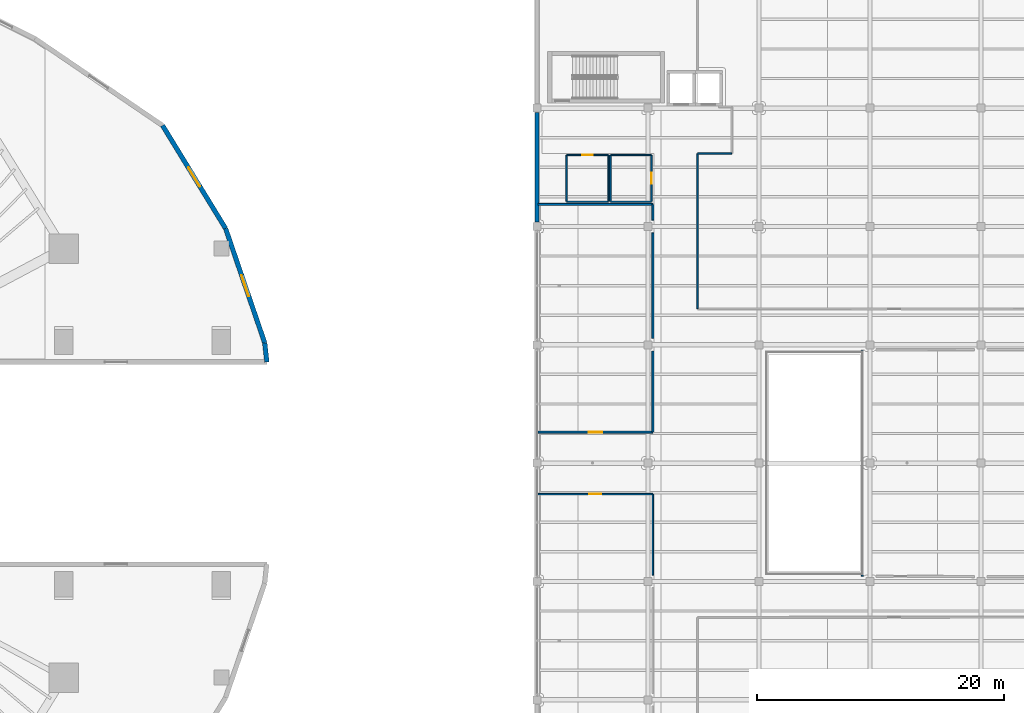
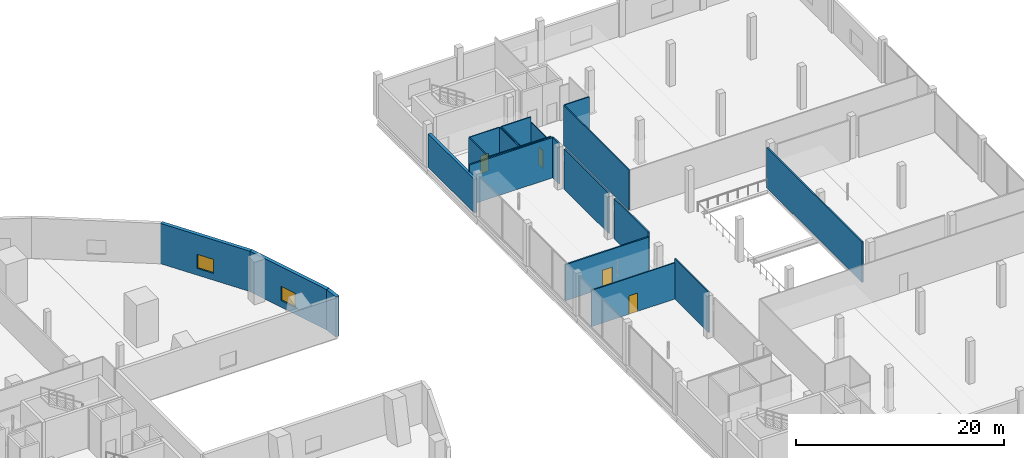
# One storey, part 31 of 46: 22 walls, 4 doors, 2 windows, 6 openings.
"""IFC4 building model written with IfcOpenShell, lengths in metres."""

from ifc_helpers import new_model, si_unit, direction, frame, frame_2d, origin, place, context, subcontext, project, spatial, rectangle, extrude, material, layer, layer_set, type_object, element, fill, save


model = new_model("IFC4")

# Units and contexts
model_context = context("Model", 3, precision=1e-05, world=origin(), true_north=direction((0.0, 1.0)))
body_context = subcontext(model_context, "Body", "Model", "MODEL_VIEW")
ifc_project = project(units=[si_unit("LENGTHUNIT", "METRE"), si_unit("AREAUNIT", "SQUARE_METRE"), si_unit("VOLUMEUNIT", "CUBIC_METRE"), si_unit("PLANEANGLEUNIT", "RADIAN"), si_unit("MASSUNIT", "GRAM", prefix="KILO")], contexts=[model_context])

# Site, building, storey
site_placement = place(None, origin())
site = spatial("IfcSite", under=ifc_project, at=site_placement, CompositionType="ELEMENT")
building_placement = place(site_placement, origin())
building = spatial("IfcBuilding", under=site, at=building_placement, Name="Qorvath Tower", CompositionType="ELEMENT")
storey_placement = place(building_placement, frame((0.0, 0.0, 17.0)))
storey = spatial("IfcBuildingStorey", under=building, at=storey_placement, Name="L03", CompositionType="ELEMENT", Elevation=17.0)

# Wall
ifc_material_1 = material(Name="Double acoustic gypsum board on steel studs", Category="steel")
ifc_layer_1 = layer(ifc_material_1, 0.159912109375)
ifc_layer_set_1 = layer_set([ifc_layer_1], Name="IW-ACOUSTIC-160")
wall_type_1 = type_object("IfcWallType", Name="IW-ACOUSTIC-160", PredefinedType="PARTITIONING", material=ifc_layer_set_1)
wall_1_placement = place(storey_placement, frame((58.800048828125, 9.1669921875, 0.0), z_axis=(0.0, 0.0, 1.0), x_axis=(0.0, -1.0, 0.0)))
element("IfcWall", 1, at=wall_1_placement, inside=storey, type_object=wall_type_1, Name="Interior Partition IW-LB-L03-033", PredefinedType="PARTITIONING", context=body_context, shape_type="SweptSolid", body=[
    extrude(rectangle(XDim=18.333984375, YDim=0.159912109375, at=frame_2d((9.1669921875, 0.0))), origin(), (0.0, 0.0, 1.0), 4.739990234375),
])

# Wall, opening, door
wall_2_placement = place(storey_placement, frame((32.47998046875, 2.508056640625, 0.0), z_axis=(0.0, 0.0, 1.0), x_axis=(1.0, 0.0, 0.0)))
wall_2 = element("IfcWall", 2, at=wall_2_placement, inside=storey, type_object=wall_type_1, Name="Interior Partition IW-LB-L03-034", PredefinedType="PARTITIONING", context=body_context, shape_type="SweptSolid", body=[
    extrude(rectangle(XDim=9.294921875, YDim=0.159912109375, at=frame_2d((4.6474609375, 0.0))), origin(), (0.0, 0.0, 1.0), 4.2529296875),
])
opening_1_placement = place(wall_2_placement, frame((4.097412109375, 0.0, 0.0)))
opening_1 = element("IfcOpeningElement", 3, at=opening_1_placement, cuts=wall_2, Name="Opening D-LB-L03-08", PredefinedType="OPENING", context=body_context, shape_type="SweptSolid", body=[
    extrude(rectangle(XDim=1.10009765625, YDim=2.14990234375, at=frame_2d((0.550048828125, 1.074951171875))), frame((0.0, 0.08984375, 0.0), z_axis=(0.0, -1.0, 0.0), x_axis=(1.0, 0.0, 0.0)), (0.0, 0.0, 1.0), 0.179931640625),
])
ifc_material_2 = material(Name="Anodised aluminium acoustic framed glass", Category="aluminium")
door_type_1 = type_object("IfcDoorType", Name="D-03", OperationType="NOTDEFINED", PredefinedType="DOOR", material=ifc_material_2)
door_1_placement = place(opening_1_placement, origin())
door_1 = element("IfcDoor", 4, at=door_1_placement, inside=storey, type_object=door_type_1, Name="L-L03-SEM-W Research Seminar Suite L03 Door D-LB-L03-08", OperationType="SINGLE_SWING_LEFT", OverallHeight=2.14990234375, OverallWidth=1.10009765625, PredefinedType="DOOR", context=body_context, shape_type="SweptSolid", body=[
    extrude(rectangle(XDim=1.10009765625, YDim=2.14990234375, at=frame_2d((0.550048828125, 1.074951171875))), frame((0.0, 0.02490234375, 0.0), z_axis=(0.0, -1.0, 0.0), x_axis=(1.0, 0.0, 0.0)), (0.0, 0.0, 1.0), 0.050048828125),
])
fill(opening_1, door_1)

# Walls
wall_3_placement = place(storey_placement, frame((41.800048828125, 2.533203125, 0.0), z_axis=(0.0, 0.0, 1.0), x_axis=(0.0, 1.0, 0.0)))
element("IfcWall", 5, at=wall_3_placement, inside=storey, type_object=wall_type_1, Name="Interior Partition IW-LB-L03-035", PredefinedType="PARTITIONING", context=body_context, shape_type="SweptSolid", body=[
    extrude(rectangle(XDim=6.5478515625, YDim=0.159912109375, at=frame_2d((3.27392578125, 0.0))), origin(), (0.0, 0.0, 1.0), 4.739990234375),
])
wall_4_placement = place(storey_placement, frame((41.800048828125, 10.118896484375, 0.0), z_axis=(0.0, 0.0, 1.0), x_axis=(0.0, 1.0, 0.0)))
element("IfcWall", 6, at=wall_4_placement, inside=storey, type_object=wall_type_1, Name="Interior Partition IW-LB-L03-036", PredefinedType="PARTITIONING", context=body_context, shape_type="SweptSolid", body=[
    extrude(rectangle(XDim=8.562255859375, YDim=0.159912109375, at=frame_2d((4.28125, 0.0))), origin(), (0.0, 0.0, 1.0), 4.739990234375),
])
wall_5_placement = place(storey_placement, frame((41.800048828125, 19.71875, 0.0), z_axis=(0.0, 0.0, 1.0), x_axis=(0.0, 1.0, 0.0)))
element("IfcWall", 7, at=wall_5_placement, inside=storey, type_object=wall_type_1, Name="Interior Partition IW-LB-L03-037", PredefinedType="PARTITIONING", context=body_context, shape_type="SweptSolid", body=[
    extrude(rectangle(XDim=1.25634765625, YDim=0.159912109375, at=frame_2d((0.628173828125, 0.0))), origin(), (0.0, 0.0, 1.0), 4.739990234375),
])
wall_6_placement = place(storey_placement, frame((41.77490234375, 21.0, 0.0), z_axis=(0.0, 0.0, 1.0), x_axis=(-1.0, 0.0, 0.0)))
element("IfcWall", 8, at=wall_6_placement, inside=storey, type_object=wall_type_1, Name="Interior Partition IW-LB-L03-038", PredefinedType="PARTITIONING", context=body_context, shape_type="SweptSolid", body=[
    extrude(rectangle(XDim=9.294921875, YDim=0.159912109375, at=frame_2d((4.6474609375, 0.0))), origin(), (0.0, 0.0, 1.0), 4.739990234375),
])
ifc_material_3 = material(Name="Gypsum board on metal studs with mineral wool", Category="gypsum")
ifc_layer_2 = layer(ifc_material_3, 0.125)
ifc_layer_set_2 = layer_set([ifc_layer_2], Name="IW-PART-125")
wall_type_2 = type_object("IfcWallType", Name="IW-PART-125", PredefinedType="PARTITIONING", material=ifc_layer_set_2)
wall_7_placement = place(storey_placement, frame((45.43310546875, 25.112060546875, 0.0), z_axis=(0.0, 0.0, 1.0), x_axis=(1.0, 0.0, 0.0)))
element("IfcWall", 9, at=wall_7_placement, inside=storey, type_object=wall_type_2, Name="Interior Partition IW-LB-L03-019", PredefinedType="PARTITIONING", context=body_context, shape_type="SweptSolid", body=[
    extrude(rectangle(XDim=2.75, YDim=0.125, at=frame_2d((1.375, 0.0))), origin(), (0.0, 0.0, 1.0), 4.739990234375),
])
wall_8_placement = place(storey_placement, frame((45.407958984375, 25.087158203125, 0.0), z_axis=(0.0, 0.0, 1.0), x_axis=(0.0, -1.0, 0.0)))
element("IfcWall", 10, at=wall_8_placement, inside=storey, type_object=wall_type_2, Name="Interior Partition IW-LB-L03-020", PredefinedType="PARTITIONING", context=body_context, shape_type="SweptSolid", body=[
    extrude(rectangle(XDim=12.553955078125, YDim=0.125, at=frame_2d((6.27685546875, 0.0))), origin(), (0.0, 0.0, 1.0), 4.739990234375),
])
wall_9_placement = place(storey_placement, frame((41.800048828125, -9.0810546875, 0.0), z_axis=(0.0, 0.0, 1.0), x_axis=(0.0, 1.0, 0.0)))
element("IfcWall", 11, at=wall_9_placement, inside=storey, type_object=wall_type_2, Name="Interior Partition IW-LB-L03-042", PredefinedType="PARTITIONING", context=body_context, shape_type="SweptSolid", body=[
    extrude(rectangle(XDim=6.5478515625, YDim=0.125, at=frame_2d((3.27392578125, 0.0))), origin(), (0.0, 0.0, 1.0), 4.739990234375),
])

# Wall, opening, door
wall_10_placement = place(storey_placement, frame((41.77490234375, -2.508056640625, 0.0), z_axis=(0.0, 0.0, 1.0), x_axis=(-1.0, 0.0, 0.0)))
wall_10 = element("IfcWall", 12, at=wall_10_placement, inside=storey, type_object=wall_type_2, Name="Interior Partition IW-LB-L03-043", PredefinedType="PARTITIONING", context=body_context, shape_type="SweptSolid", body=[
    extrude(rectangle(XDim=9.294921875, YDim=0.125, at=frame_2d((4.6474609375, 0.0))), origin(), (0.0, 0.0, 1.0), 4.2529296875),
])
opening_2_placement = place(wall_10_placement, frame((4.17236328125, 0.0, 0.0)))
opening_2 = element("IfcOpeningElement", 13, at=opening_2_placement, cuts=wall_10, Name="Opening D-LB-L03-09", PredefinedType="OPENING", context=body_context, shape_type="SweptSolid", body=[
    extrude(rectangle(XDim=0.949951171875, YDim=2.14990234375, at=frame_2d((0.47509765625, 1.074951171875))), frame((0.0, 0.072509765625, 0.0), z_axis=(0.0, -1.0, 0.0), x_axis=(1.0, 0.0, 0.0)), (0.0, 0.0, 1.0), 0.14501953125),
])
ifc_material_4 = material(Name="Solid-core American white oak veneer", Category="wood")
door_type_2 = type_object("IfcDoorType", Name="D-01", OperationType="NOTDEFINED", PredefinedType="DOOR", material=ifc_material_4)
door_2_placement = place(opening_2_placement, origin())
door_2 = element("IfcDoor", 14, at=door_2_placement, inside=storey, type_object=door_type_2, Name="L-L03-STAFF Cataloguing and Librarian Studio L03 Door D-LB-L03-09", OperationType="SINGLE_SWING_RIGHT", OverallHeight=2.14990234375, OverallWidth=0.949951171875, PredefinedType="DOOR", context=body_context, shape_type="SweptSolid", body=[
    extrude(rectangle(XDim=0.949951171875, YDim=2.14990234375, at=frame_2d((0.47509765625, 1.074951171875))), frame((0.0, 0.02490234375, 0.0), z_axis=(0.0, -1.0, 0.0), x_axis=(1.0, 0.0, 0.0)), (0.0, 0.0, 1.0), 0.050048828125),
])
fill(opening_2, door_2)

# Walls
ifc_material_5 = material(Name="Moisture-resistant cement board on metal studs", Category="gypsum")
ifc_layer_3 = layer(ifc_material_5, 0.110107421875)
ifc_layer_set_3 = layer_set([ifc_layer_3], Name="IW-WC-110")
wall_type_3 = type_object("IfcWallType", Name="IW-WC-110", PredefinedType="PARTITIONING", material=ifc_layer_set_3)
wall_11_placement = place(storey_placement, frame((34.824951171875, 21.199951171875, 0.0), z_axis=(0.0, 0.0, 1.0), x_axis=(1.0, 0.0, 0.0)))
element("IfcWall", 15, at=wall_11_placement, inside=storey, type_object=wall_type_3, Name="Interior Partition IW-LB-L03-001", PredefinedType="PARTITIONING", context=body_context, shape_type="SweptSolid", body=[
    extrude(rectangle(XDim=3.35009765625, YDim=0.110107421875, at=frame_2d((1.675048828125, 0.0))), origin(), (0.0, 0.0, 1.0), 4.739990234375),
])
wall_12_placement = place(storey_placement, frame((38.199951171875, 21.22509765625, 0.0), z_axis=(0.0, 0.0, 1.0), x_axis=(0.0, 1.0, 0.0)))
element("IfcWall", 16, at=wall_12_placement, inside=storey, type_object=wall_type_3, Name="Interior Partition IW-LB-L03-002", PredefinedType="PARTITIONING", context=body_context, shape_type="SweptSolid", body=[
    extrude(rectangle(XDim=3.75, YDim=0.110107421875, at=frame_2d((1.875, 0.0))), origin(), (0.0, 0.0, 1.0), 4.739990234375),
])

# Wall, opening, door
wall_13_placement = place(storey_placement, frame((38.175048828125, 25.0, 0.0), z_axis=(0.0, 0.0, 1.0), x_axis=(-1.0, 0.0, 0.0)))
wall_13 = element("IfcWall", 17, at=wall_13_placement, inside=storey, type_object=wall_type_3, Name="Interior Partition IW-LB-L03-003", PredefinedType="PARTITIONING", context=body_context, shape_type="SweptSolid", body=[
    extrude(rectangle(XDim=3.35009765625, YDim=0.110107421875, at=frame_2d((1.675048828125, 0.0))), origin(), (0.0, 0.0, 1.0), 4.739990234375),
])
opening_3_placement = place(wall_13_placement, frame((1.235107421875, 0.0, 0.0)))
opening_3 = element("IfcOpeningElement", 18, at=opening_3_placement, cuts=wall_13, Name="Opening D-LB-L03-01", PredefinedType="OPENING", context=body_context, shape_type="SweptSolid", body=[
    extrude(rectangle(XDim=0.8798828125, YDim=2.10009765625, at=frame_2d((0.43994140625, 1.050048828125))), frame((0.0, 0.06494140625, 0.0), z_axis=(0.0, -1.0, 0.0), x_axis=(1.0, 0.0, 0.0)), (0.0, 0.0, 1.0), 0.130126953125),
])
ifc_material_6 = material(Name="Solid-core oak with acoustic drop seal", Category="wood")
door_type_3 = type_object("IfcDoorType", Name="D-02", OperationType="NOTDEFINED", PredefinedType="DOOR", material=ifc_material_6)
door_3_placement = place(opening_3_placement, origin())
door_3 = element("IfcDoor", 19, at=door_3_placement, inside=storey, type_object=door_type_3, Name="WC East Wing North L03 Door D-LB-L03-01", OperationType="SINGLE_SWING_RIGHT", OverallHeight=2.10009765625, OverallWidth=0.8798828125, PredefinedType="DOOR", context=body_context, shape_type="SweptSolid", body=[
    extrude(rectangle(XDim=0.8798828125, YDim=2.10009765625, at=frame_2d((0.43994140625, 1.050048828125))), frame((0.0, 0.02490234375, 0.0), z_axis=(0.0, -1.0, 0.0), x_axis=(1.0, 0.0, 0.0)), (0.0, 0.0, 1.0), 0.050048828125),
])
fill(opening_3, door_3)

# Walls
wall_14_placement = place(storey_placement, frame((34.800048828125, 24.97509765625, 0.0), z_axis=(0.0, 0.0, 1.0), x_axis=(0.0, -1.0, 0.0)))
element("IfcWall", 20, at=wall_14_placement, inside=storey, type_object=wall_type_3, Name="Interior Partition IW-LB-L03-004", PredefinedType="PARTITIONING", context=body_context, shape_type="SweptSolid", body=[
    extrude(rectangle(XDim=3.75, YDim=0.110107421875, at=frame_2d((1.875, 0.0))), origin(), (0.0, 0.0, 1.0), 4.739990234375),
])
wall_15_placement = place(storey_placement, frame((38.375, 21.199951171875, 0.0), z_axis=(0.0, 0.0, 1.0), x_axis=(1.0, 0.0, 0.0)))
element("IfcWall", 21, at=wall_15_placement, inside=storey, type_object=wall_type_3, Name="Interior Partition IW-LB-L03-005", PredefinedType="PARTITIONING", context=body_context, shape_type="SweptSolid", body=[
    extrude(rectangle(XDim=3.300048828125, YDim=0.110107421875, at=frame_2d((1.64990234375, 0.0))), origin(), (0.0, 0.0, 1.0), 4.739990234375),
])

# Wall, opening, door
wall_16_placement = place(storey_placement, frame((41.699951171875, 21.22509765625, 0.0), z_axis=(0.0, 0.0, 1.0), x_axis=(0.0, 1.0, 0.0)))
wall_16 = element("IfcWall", 22, at=wall_16_placement, inside=storey, type_object=wall_type_3, Name="Interior Partition IW-LB-L03-006", PredefinedType="PARTITIONING", context=body_context, shape_type="SweptSolid", body=[
    extrude(rectangle(XDim=3.75, YDim=0.110107421875, at=frame_2d((1.875, 0.0))), origin(), (0.0, 0.0, 1.0), 4.09375),
])
opening_4_placement = place(wall_16_placement, frame((1.43505859375, 0.0, 0.0)))
opening_4 = element("IfcOpeningElement", 23, at=opening_4_placement, cuts=wall_16, Name="Opening D-LB-L03-02", PredefinedType="OPENING", context=body_context, shape_type="SweptSolid", body=[
    extrude(rectangle(XDim=0.8798828125, YDim=2.10009765625, at=frame_2d((0.43994140625, 1.050048828125))), frame((0.0, 0.06494140625, 0.0), z_axis=(0.0, -1.0, 0.0), x_axis=(1.0, 0.0, 0.0)), (0.0, 0.0, 1.0), 0.130126953125),
])
door_4_placement = place(opening_4_placement, origin())
door_4 = element("IfcDoor", 24, at=door_4_placement, inside=storey, type_object=door_type_3, Name="WC East Wing South L03 Door D-LB-L03-02", OperationType="SINGLE_SWING_LEFT", OverallHeight=2.10009765625, OverallWidth=0.8798828125, PredefinedType="DOOR", context=body_context, shape_type="SweptSolid", body=[
    extrude(rectangle(XDim=0.8798828125, YDim=2.10009765625, at=frame_2d((0.43994140625, 1.050048828125))), frame((0.0, 0.02490234375, 0.0), z_axis=(0.0, -1.0, 0.0), x_axis=(1.0, 0.0, 0.0)), (0.0, 0.0, 1.0), 0.050048828125),
])
fill(opening_4, door_4)

# Walls
wall_17_placement = place(storey_placement, frame((41.675048828125, 25.0, 0.0), z_axis=(0.0, 0.0, 1.0), x_axis=(-1.0, 0.0, 0.0)))
element("IfcWall", 25, at=wall_17_placement, inside=storey, type_object=wall_type_3, Name="Interior Partition IW-LB-L03-007", PredefinedType="PARTITIONING", context=body_context, shape_type="SweptSolid", body=[
    extrude(rectangle(XDim=3.300048828125, YDim=0.110107421875, at=frame_2d((1.64990234375, 0.0))), origin(), (0.0, 0.0, 1.0), 4.739990234375),
])
wall_18_placement = place(storey_placement, frame((38.35009765625, 24.97509765625, 0.0), z_axis=(0.0, 0.0, 1.0), x_axis=(0.0, -1.0, 0.0)))
element("IfcWall", 26, at=wall_18_placement, inside=storey, type_object=wall_type_3, Name="Interior Partition IW-LB-L03-008", PredefinedType="PARTITIONING", context=body_context, shape_type="SweptSolid", body=[
    extrude(rectangle(XDim=3.75, YDim=0.110107421875, at=frame_2d((1.875, 0.0))), origin(), (0.0, 0.0, 1.0), 4.739990234375),
])
ifc_material_7 = material(Name="Precast concrete C45/55", Category="concrete")
ifc_layer_4 = layer(ifc_material_7, 0.320068359375)
ifc_layer_set_4 = layer_set([ifc_layer_4], Name="WL-EW-LIB-320")
wall_type_4 = type_object("IfcWallType", Name="WL-EW-LIB-320", PredefinedType="SOLIDWALL", material=ifc_layer_set_4)
wall_19_placement = place(storey_placement, frame((32.39990234375, 19.570068359375, 0.0), z_axis=(0.0, 0.0, 1.0), x_axis=(0.0, 1.0, 0.0)))
element("IfcWall", 27, at=wall_19_placement, inside=storey, type_object=wall_type_4, Name="Library West Precast Facade Wall L03-7", PredefinedType="SOLIDWALL", context=body_context, shape_type="SweptSolid", body=[
    extrude(rectangle(XDim=8.85986328125, YDim=0.320068359375, at=frame_2d((4.429931640625, 0.0))), origin(), (0.0, 0.0, 1.0), 3.93701171875),
])
ifc_material_8 = material(Name="Precast concrete C50/60", Category="concrete")
ifc_layer_5 = layer(ifc_material_8, 0.3798828125)
ifc_layer_set_5 = layer_set([ifc_layer_5], Name="WL-EW-POD-380")
wall_type_5 = type_object("IfcWallType", Name="WL-EW-POD-380", PredefinedType="SOLIDWALL", material=ifc_layer_set_5)
wall_20_placement = place(storey_placement, frame((10.3125, 9.748779296875, 0.0), z_axis=(0.0, 0.0, 1.0), x_axis=(0.109520054504, -0.993984586229, 0.0)))
element("IfcWall", 28, at=wall_20_placement, inside=storey, type_object=wall_type_5, Name="Tower Podium Precast Facade Wall L03-4.1", PredefinedType="SOLIDWALL", context=body_context, shape_type="SweptSolid", body=[
    extrude(rectangle(XDim=1.55810546875, YDim=0.3798828125, at=frame_2d((0.779052734375, 0.0))), origin(), (0.0, 0.0, 1.0), 4.739990234375),
])

# Wall, opening, window
wall_21_placement = place(storey_placement, frame((7.139404296875, 19.029052734375, 0.0), z_axis=(0.0, 0.0, 1.0), x_axis=(0.323529337119, -0.946218139767, 0.0)))
wall_21 = element("IfcWall", 29, at=wall_21_placement, inside=storey, type_object=wall_type_5, Name="Tower Podium Precast Facade Wall L03-5.1", PredefinedType="SOLIDWALL", context=body_context, shape_type="SweptSolid", body=[
    extrude(rectangle(XDim=9.807861328125, YDim=0.3798828125, at=frame_2d((4.90380859375, 0.0))), origin(), (0.0, 0.0, 1.0), 4.739990234375),
])
opening_5_placement = place(wall_21_placement, frame((4.00390625, 0.0, 0.800048828125)))
opening_5 = element("IfcOpeningElement", 30, at=opening_5_placement, cuts=wall_21, Name="Opening WN-L03-032", PredefinedType="OPENING", context=body_context, shape_type="SweptSolid", body=[
    extrude(rectangle(XDim=1.800048828125, YDim=1.64990234375, at=frame_2d((0.89990234375, 0.824951171875))), frame((0.0, 0.199951171875, 0.0), z_axis=(0.0, -1.0, 0.0), x_axis=(1.0, 0.0, 0.0)), (0.0, 0.0, 1.0), 0.39990234375),
])
ifc_material_9 = material(Name="Thermally broken aluminium and triple low-E glass", Category="aluminium")
window_type = type_object("IfcWindowType", Name="WN-1", PartitioningType="SINGLE_PANEL", PredefinedType="WINDOW", material=ifc_material_9)
window_1_placement = place(opening_5_placement, origin())
window_1 = element("IfcWindow", 31, at=window_1_placement, inside=storey, type_object=window_type, Name="Podium Punched Window L03-032", OverallHeight=1.64990234375, OverallWidth=1.800048828125, PartitioningType="SINGLE_PANEL", PredefinedType="WINDOW", context=body_context, shape_type="SweptSolid", body=[
    extrude(rectangle(XDim=1.800048828125, YDim=1.64990234375, at=frame_2d((0.89990234375, 0.824951171875))), frame((0.0, 0.030029296875, 0.0), z_axis=(0.0, -1.0, 0.0), x_axis=(1.0, 0.0, 0.0)), (0.0, 0.0, 1.0), 0.06005859375),
])
fill(opening_5, window_1)

wall_22_placement = place(storey_placement, frame((2.0205078125, 27.39501953125, 0.0), z_axis=(0.0, 0.0, 1.0), x_axis=(0.521922160909, -0.852993117178, 0.0)))
wall_22 = element("IfcWall", 32, at=wall_22_placement, inside=storey, type_object=wall_type_5, Name="Tower Podium Precast Facade Wall L03-6.1", PredefinedType="SOLIDWALL", context=body_context, shape_type="SweptSolid", body=[
    extrude(rectangle(XDim=9.807861328125, YDim=0.3798828125, at=frame_2d((4.90380859375, 0.0))), origin(), (0.0, 0.0, 1.0), 4.739990234375),
])
opening_6_placement = place(wall_22_placement, frame((4.00390625, 0.0, 0.800048828125)))
opening_6 = element("IfcOpeningElement", 33, at=opening_6_placement, cuts=wall_22, Name="Opening WN-L03-033", PredefinedType="OPENING", context=body_context, shape_type="SweptSolid", body=[
    extrude(rectangle(XDim=1.800048828125, YDim=1.64990234375, at=frame_2d((0.89990234375, 0.824951171875))), frame((0.0, 0.199951171875, 0.0), z_axis=(0.0, -1.0, 0.0), x_axis=(1.0, 0.0, 0.0)), (0.0, 0.0, 1.0), 0.39990234375),
])
window_2_placement = place(opening_6_placement, origin())
window_2 = element("IfcWindow", 34, at=window_2_placement, inside=storey, type_object=window_type, Name="Podium Punched Window L03-033", OverallHeight=1.64990234375, OverallWidth=1.800048828125, PartitioningType="SINGLE_PANEL", PredefinedType="WINDOW", context=body_context, shape_type="SweptSolid", body=[
    extrude(rectangle(XDim=1.800048828125, YDim=1.64990234375, at=frame_2d((0.89990234375, 0.824951171875))), frame((0.0, 0.030029296875, 0.0), z_axis=(0.0, -1.0, 0.0), x_axis=(1.0, 0.0, 0.0)), (0.0, 0.0, 1.0), 0.06005859375),
])
fill(opening_6, window_2)

save(model, "model.ifc")
